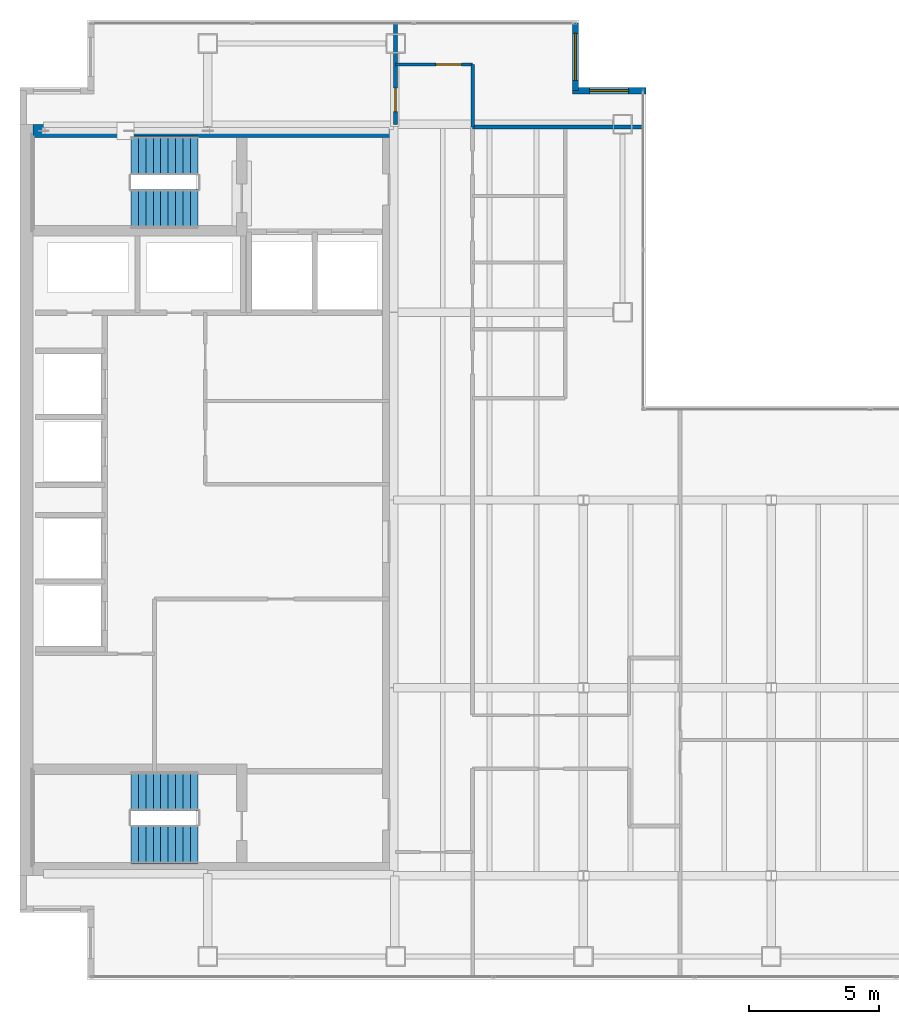
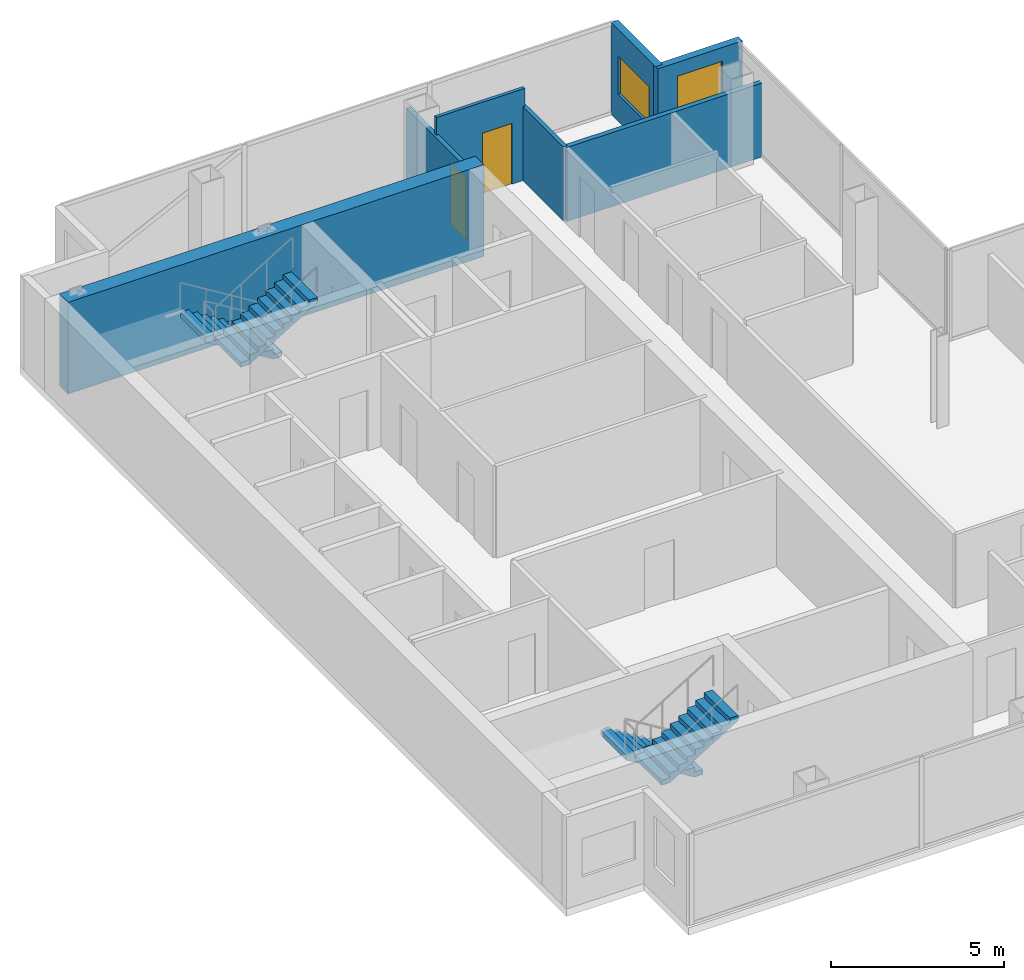
# One storey, part 22 of 23: 7 walls, 4 stair flights, 2 doors, 2 windows, 4 openings, 2 elements without a shape of their own.
"""IFC4 building model written with IfcOpenShell, lengths in metres."""

from ifc_helpers import new_model, si_unit, direction, frame, frame_2d, origin, place, context, subcontext, project, spatial, polyline, rectangle, outline, extrude, material, layer, layer_set, type_object, element, fill, aggregate, save


model = new_model("IFC4")

# Units and contexts
model_context = context("Model", 3, precision=1e-05, world=origin(), true_north=direction((0.0, 1.0)))
body_context = subcontext(model_context, "Body", "Model", "MODEL_VIEW")
ifc_project = project(units=[si_unit("LENGTHUNIT", "METRE"), si_unit("AREAUNIT", "SQUARE_METRE"), si_unit("VOLUMEUNIT", "CUBIC_METRE"), si_unit("PLANEANGLEUNIT", "RADIAN"), si_unit("MASSUNIT", "GRAM", prefix="KILO")], contexts=[model_context])

# Site, building, storey
site_placement = place(None, origin())
site = spatial("IfcSite", under=ifc_project, at=site_placement, CompositionType="ELEMENT")
building_placement = place(site_placement, origin())
building = spatial("IfcBuilding", under=site, at=building_placement, Name="Cobrela Telecom Tower", CompositionType="ELEMENT")
storey_placement = place(building_placement, frame((0.0, 0.0, 204.75)))
storey = spatial("IfcBuildingStorey", under=building, at=storey_placement, Name="L52", CompositionType="ELEMENT", Elevation=204.75)

# Wall
ifc_material_1 = material(Name="Concrete C40/50", Category="concrete")
ifc_layer_1 = layer(ifc_material_1, 0.5)
ifc_layer_set_1 = layer_set([ifc_layer_1], Name="Concrete C40/50")
wall_type_1 = type_object("IfcWallType", Name="WALL-CORE-C40-500", PredefinedType="SHEAR", material=ifc_layer_set_1)
wall_1_placement = place(storey_placement, frame((0.5, 35.75, 0.0), z_axis=(0.0, 0.0, 1.0), x_axis=(1.0, 0.0, 0.0)))
element("IfcWall", 1, at=wall_1_placement, inside=storey, type_object=wall_type_1, Name="L52 North Core Shear Wall", PredefinedType="SHEAR", context=body_context, shape_type="SweptSolid", body=[
    extrude(rectangle(XDim=13.89990234375, YDim=0.5, at=frame_2d((6.949951171875, 0.0))), origin(), (0.0, 0.0, 1.0), 3.239990234375),
])

# Wall, opening, window
ifc_layer_2 = layer(ifc_material_1, 0.239990234375)
ifc_layer_set_2 = layer_set([ifc_layer_2], Name="Concrete C40/50")
wall_type_2 = type_object("IfcWallType", Name="WALL-EXT-300", PredefinedType="STANDARD", material=ifc_layer_set_2)
wall_2_placement = place(storey_placement, frame((21.2900390625, 39.8798828125, 0.0), z_axis=(0.0, 0.0, 1.0), x_axis=(0.0, -1.0, 0.0)))
wall_2 = element("IfcWall", 2, at=wall_2_placement, inside=storey, type_object=wall_type_2, Name="L52 Insulated Facade Wall 08", PredefinedType="STANDARD", context=body_context, shape_type="SweptSolid", body=[
    extrude(rectangle(XDim=2.58984375, YDim=0.239990234375, at=frame_2d((1.294921875, 0.0))), origin(), (0.0, 0.0, 1.0), 3.239990234375),
])
opening_1_placement = place(wall_2_placement, frame((0.39501953125, 0.0, 0.949951171875)))
opening_1 = element("IfcOpeningElement", 3, at=opening_1_placement, cuts=wall_2, Name="Opening WN-27", PredefinedType="OPENING", context=body_context, shape_type="SweptSolid", body=[
    extrude(rectangle(XDim=1.800048828125, YDim=1.35009765625, at=frame_2d((0.89990234375, 0.675048828125))), frame((0.0, 0.1318359375, 0.0), z_axis=(0.0, -1.0, 0.0), x_axis=(1.0, 0.0, 0.0)), (0.0, 0.0, 1.0), 0.263916015625),
])
ifc_material_2 = material(Name="Solar-Control Bronze Low-E Glass", Category="glass")
window_type_1 = type_object("IfcWindowType", Name="WIN-CLER-1800", PartitioningType="SINGLE_PANEL", PredefinedType="WINDOW", material=ifc_material_2)
window_1_placement = place(opening_1_placement, origin())
window_1 = element("IfcWindow", 4, at=window_1_placement, inside=storey, type_object=window_type_1, Name="L52 Corner Notch Facade Window 253", OverallHeight=1.35009765625, OverallWidth=1.800048828125, PartitioningType="SINGLE_PANEL", PredefinedType="WINDOW", context=body_context, shape_type="SweptSolid", body=[
    extrude(rectangle(XDim=1.800048828125, YDim=1.35009765625, at=frame_2d((0.89990234375, 0.675048828125))), frame((0.0, 0.030029296875, 0.0), z_axis=(0.0, -1.0, 0.0), x_axis=(1.0, 0.0, 0.0)), (0.0, 0.0, 1.0), 0.06005859375),
])
fill(opening_1, window_1)

wall_3_placement = place(storey_placement, frame((21.169921875, 37.2900390625, 0.0), z_axis=(0.0, 0.0, 1.0), x_axis=(1.0, 0.0, 0.0)))
wall_3 = element("IfcWall", 5, at=wall_3_placement, inside=storey, type_object=wall_type_2, Name="L52 Insulated Facade Wall 09", PredefinedType="STANDARD", context=body_context, shape_type="SweptSolid", body=[
    extrude(rectangle(XDim=2.830078125, YDim=0.239990234375, at=frame_2d((1.4150390625, 0.0))), origin(), (0.0, 0.0, 1.0), 3.239990234375),
])
opening_2_placement = place(wall_3_placement, frame((0.6650390625, 0.0, 0.949951171875)))
opening_2 = element("IfcOpeningElement", 6, at=opening_2_placement, cuts=wall_3, Name="Opening WN-45", PredefinedType="OPENING", context=body_context, shape_type="SweptSolid", body=[
    extrude(rectangle(XDim=1.5, YDim=1.800048828125, at=frame_2d((0.75, 0.89990234375))), frame((0.0, 0.1318359375, 0.0), z_axis=(0.0, -1.0, 0.0), x_axis=(1.0, 0.0, 0.0)), (0.0, 0.0, 1.0), 0.263916015625),
])
window_type_2 = type_object("IfcWindowType", Name="WIN-MOD-1500", PartitioningType="SINGLE_PANEL", PredefinedType="WINDOW", material=ifc_material_2)
window_2_placement = place(opening_2_placement, origin())
window_2 = element("IfcWindow", 7, at=window_2_placement, inside=storey, type_object=window_type_2, Name="L52 Corner Notch Facade Window 254", OverallHeight=1.800048828125, OverallWidth=1.5, PartitioningType="SINGLE_PANEL", PredefinedType="WINDOW", context=body_context, shape_type="SweptSolid", body=[
    extrude(rectangle(XDim=1.5, YDim=1.800048828125, at=frame_2d((0.75, 0.89990234375))), frame((0.0, 0.030029296875, 0.0), z_axis=(0.0, -1.0, 0.0), x_axis=(1.0, 0.0, 0.0)), (0.0, 0.0, 1.0), 0.06005859375),
])
fill(opening_2, window_2)

# Wall, opening, door
ifc_material_3 = material(Name="Fire-Rated Gypsum Plasterboard")
ifc_layer_3 = layer(ifc_material_3, 0.110107421875)
ifc_layer_set_3 = layer_set([ifc_layer_3], Name="Fire-Rated Gypsum Plasterboard")
wall_type_3 = type_object("IfcWallType", Name="WALL-PART-110", PredefinedType="PARTITIONING", material=ifc_layer_set_3)
wall_4_placement = place(storey_placement, frame((14.39990234375, 38.300048828125, 0.0), z_axis=(0.0, 0.0, 1.0), x_axis=(1.0, 0.0, 0.0)))
wall_4 = element("IfcWall", 8, at=wall_4_placement, inside=storey, type_object=wall_type_3, Name="L52 Interior Partition W-CN-T", PredefinedType="PARTITIONING", context=body_context, shape_type="SweptSolid", body=[
    extrude(rectangle(XDim=2.9501953125, YDim=0.110107421875, at=frame_2d((1.47509765625, 0.0))), origin(), (0.0, 0.0, 1.0), 3.239990234375),
])
opening_3_placement = place(wall_4_placement, frame((1.5400390625, 0.0, 0.0)))
opening_3 = element("IfcOpeningElement", 9, at=opening_3_placement, cuts=wall_4, Name="Opening DR-17", PredefinedType="OPENING", context=body_context, shape_type="SweptSolid", body=[
    extrude(rectangle(XDim=0.97998046875, YDim=2.14990234375, at=frame_2d((0.489990234375, 1.074951171875))), frame((0.0, 0.06689453125, 0.0), z_axis=(0.0, -1.0, 0.0), x_axis=(1.0, 0.0, 0.0)), (0.0, 0.0, 1.0), 0.134033203125),
])
ifc_material_4 = material(Name="Solid Engineered Oak Timber", Category="wood")
door_type_1 = type_object("IfcDoorType", Name="DOOR-INT-980", OperationType="SINGLE_SWING_LEFT", PredefinedType="DOOR", material=ifc_material_4)
door_1_placement = place(opening_3_placement, origin())
door_1 = element("IfcDoor", 10, at=door_1_placement, inside=storey, type_object=door_type_1, Name="L52 Door DR-17", OperationType="SINGLE_SWING_RIGHT", OverallHeight=2.14990234375, OverallWidth=0.97998046875, PredefinedType="DOOR", context=body_context, shape_type="SweptSolid", body=[
    extrude(rectangle(XDim=0.97998046875, YDim=2.14990234375, at=frame_2d((0.489990234375, 1.074951171875))), frame((0.0, 0.02490234375, 0.0), z_axis=(0.0, -1.0, 0.0), x_axis=(1.0, 0.0, 0.0)), (0.0, 0.0, 1.0), 0.050048828125),
])
fill(opening_3, door_1)

# Wall
ifc_layer_4 = layer(ifc_material_3, 0.135009765625)
ifc_layer_set_4 = layer_set([ifc_layer_4], Name="Fire-Rated Gypsum Plasterboard")
wall_type_4 = type_object("IfcWallType", Name="WALL-PART-135", PredefinedType="PARTITIONING", material=ifc_layer_set_4)
wall_5_placement = place(storey_placement, frame((17.35009765625, 35.89990234375, 0.0), z_axis=(0.0, 0.0, 1.0), x_axis=(0.0, 1.0, 0.0)))
element("IfcWall", 11, at=wall_5_placement, inside=storey, type_object=wall_type_4, Name="L52 Interior Partition W-CN-E", PredefinedType="PARTITIONING", context=body_context, shape_type="SweptSolid", body=[
    extrude(rectangle(XDim=2.400146484375, YDim=0.135009765625, at=frame_2d((1.2001953125, 0.0))), origin(), (0.0, 0.0, 1.0), 2.613037109375),
])

# Wall, opening, door
ifc_layer_5 = layer(ifc_material_3, 0.14990234375)
ifc_layer_set_5 = layer_set([ifc_layer_5], Name="Fire-Rated Gypsum Plasterboard")
wall_type_5 = type_object("IfcWallType", Name="WALL-PART-150", PredefinedType="PARTITIONING", material=ifc_layer_set_5)
wall_6_placement = place(storey_placement, frame((14.39990234375, 36.0, 0.0), z_axis=(0.0, 0.0, 1.0), x_axis=(0.0, 1.0, 0.0)))
wall_6 = element("IfcWall", 12, at=wall_6_placement, inside=storey, type_object=wall_type_5, Name="L52 Interior Partition W-CN-W", PredefinedType="PARTITIONING", context=body_context, shape_type="SweptSolid", body=[
    extrude(rectangle(XDim=3.8798828125, YDim=0.14990234375, at=frame_2d((1.93994140625, 0.0))), origin(), (0.0, 0.0, 1.0), 2.613037109375),
])
opening_4_placement = place(wall_6_placement, frame((0.489990234375, 0.0, 0.0)))
opening_4 = element("IfcOpeningElement", 13, at=opening_4_placement, cuts=wall_6, Name="Opening DR-41", PredefinedType="OPENING", context=body_context, shape_type="SweptSolid", body=[
    extrude(rectangle(XDim=0.89990234375, YDim=2.14990234375, at=frame_2d((0.449951171875, 1.074951171875))), frame((0.0, 0.0869140625, 0.0), z_axis=(0.0, -1.0, 0.0), x_axis=(1.0, 0.0, 0.0)), (0.0, 0.0, 1.0), 0.173828125),
])
door_type_2 = type_object("IfcDoorType", Name="DOOR-INT-900", OperationType="SINGLE_SWING_LEFT", PredefinedType="DOOR", material=ifc_material_4)
door_2_placement = place(opening_4_placement, origin())
door_2 = element("IfcDoor", 14, at=door_2_placement, inside=storey, type_object=door_type_2, Name="L52 Door DR-41", OperationType="SINGLE_SWING_LEFT", OverallHeight=2.14990234375, OverallWidth=0.89990234375, PredefinedType="DOOR", context=body_context, shape_type="SweptSolid", body=[
    extrude(rectangle(XDim=0.89990234375, YDim=2.14990234375, at=frame_2d((0.449951171875, 1.074951171875))), frame((0.0, 0.02490234375, 0.0), z_axis=(0.0, -1.0, 0.0), x_axis=(1.0, 0.0, 0.0)), (0.0, 0.0, 1.0), 0.050048828125),
])
fill(opening_4, door_2)

# Wall
ifc_layer_6 = layer(ifc_material_3, 0.159912109375)
ifc_layer_set_6 = layer_set([ifc_layer_6], Name="Fire-Rated Gypsum Plasterboard")
wall_type_6 = type_object("IfcWallType", Name="WALL-PART-160", PredefinedType="PARTITIONING", material=ifc_layer_set_6)
wall_7_placement = place(storey_placement, frame((17.35009765625, 35.89990234375, 0.0), z_axis=(0.0, 0.0, 1.0), x_axis=(1.0, 0.0, 0.0)))
element("IfcWall", 15, at=wall_7_placement, inside=storey, type_object=wall_type_6, Name="L52 Interior Partition W-NW2-S", PredefinedType="PARTITIONING", context=body_context, shape_type="SweptSolid", body=[
    extrude(rectangle(XDim=6.52978515625, YDim=0.159912109375, at=frame_2d((3.264892578125, 0.0))), origin(), (0.0, 0.0, 1.0), 2.613037109375),
])

# Stair, stair flights
stair_type = type_object("IfcStairType", Name="STAIR-CORE", PredefinedType="HALF_TURN_STAIR", material=ifc_material_1)
stair_1_placement = place(storey_placement, origin())
stair_1 = element("IfcStair", 16, at=stair_1_placement, inside=storey, type_object=stair_type, Name="L52 Smokeproof Exit Stair ST1", PredefinedType="HALF_TURN_STAIR")
stair_flight_type = type_object("IfcStairFlightType", Name="FLIGHT-CORE", PredefinedType="STRAIGHT", material=ifc_material_1)
stair_flight_1_placement = place(storey_placement, frame((6.820068359375, 34.800048828125, 0.0), z_axis=(0.0, 0.0, 1.0), x_axis=(-1.0, 0.0, 0.0)))
stair_flight_1 = element("IfcStairFlight", 17, at=stair_flight_1_placement, type_object=stair_flight_type, Name="ST1 flight 1", NumberOfRisers=10, NumberOfTreads=9, PredefinedType="STRAIGHT", RiserHeight=0.175, TreadLength=0.285, context=body_context, shape_type="SweptSolid", body=[
    extrude(outline(polyline([(0.0, 0.0), (0.0, 0.175048828125), (0.284912109375, 0.175048828125), (0.284912109375, 0.35009765625), (0.570068359375, 0.35009765625), (0.570068359375, 0.52490234375), (0.85498046875, 0.52490234375), (0.85498046875, 0.699951171875), (1.139892578125, 0.699951171875), (1.139892578125, 0.875), (1.425048828125, 0.875), (1.425048828125, 1.050048828125), (1.7099609375, 1.050048828125), (1.7099609375, 1.22509765625), (1.9951171875, 1.22509765625), (1.9951171875, 1.39990234375), (2.280029296875, 1.39990234375), (2.280029296875, 1.574951171875), (2.56494140625, 1.574951171875), (2.56494140625, 1.75), (2.56494140625, 1.399169921875), (0.286376953125, 0.0), (0.0, 0.0)])), frame((0.0, 0.75, 0.0), z_axis=(0.0, -1.0, 0.0), x_axis=(1.0, 0.0, 0.0)), (0.0, 0.0, 1.0), 1.5),
])
stair_flight_2_placement = place(storey_placement, frame((4.2548828125, 32.75, 1.75), z_axis=(0.0, 0.0, 1.0), x_axis=(1.0, 0.0, 0.0)))
stair_flight_2 = element("IfcStairFlight", 18, at=stair_flight_2_placement, type_object=stair_flight_type, Name="ST1 flight 2", NumberOfRisers=10, NumberOfTreads=9, PredefinedType="STRAIGHT", RiserHeight=0.175, TreadLength=0.285, context=body_context, shape_type="SweptSolid", body=[
    extrude(outline(polyline([(0.0, 0.0), (0.0, 0.175048828125), (0.284912109375, 0.175048828125), (0.284912109375, 0.35009765625), (0.570068359375, 0.35009765625), (0.570068359375, 0.52490234375), (0.85498046875, 0.52490234375), (0.85498046875, 0.699951171875), (1.139892578125, 0.699951171875), (1.139892578125, 0.875), (1.425048828125, 0.875), (1.425048828125, 1.050048828125), (1.7099609375, 1.050048828125), (1.7099609375, 1.22509765625), (1.9951171875, 1.22509765625), (1.9951171875, 1.39990234375), (2.280029296875, 1.39990234375), (2.280029296875, 1.574951171875), (2.56494140625, 1.574951171875), (2.56494140625, 1.75), (2.56494140625, 1.399169921875), (0.286376953125, 0.0), (0.0, 0.0)])), frame((0.0, 0.75, 0.0), z_axis=(0.0, -1.0, 0.0), x_axis=(1.0, 0.0, 0.0)), (0.0, 0.0, 1.0), 1.5),
])
aggregate(stair_1, [stair_flight_1, stair_flight_2])

stair_2_placement = place(storey_placement, origin())
stair_2 = element("IfcStair", 19, at=stair_2_placement, inside=storey, type_object=stair_type, Name="L52 Smokeproof Exit Stair ST2", PredefinedType="HALF_TURN_STAIR")
stair_flight_3_placement = place(storey_placement, frame((6.820068359375, 10.449951171875, 0.0), z_axis=(0.0, 0.0, 1.0), x_axis=(-1.0, 0.0, 0.0)))
stair_flight_3 = element("IfcStairFlight", 20, at=stair_flight_3_placement, type_object=stair_flight_type, Name="ST2 flight 1", NumberOfRisers=10, NumberOfTreads=9, PredefinedType="STRAIGHT", RiserHeight=0.175, TreadLength=0.285, context=body_context, shape_type="SweptSolid", body=[
    extrude(outline(polyline([(0.0, 0.0), (0.0, 0.175048828125), (0.284912109375, 0.175048828125), (0.284912109375, 0.35009765625), (0.570068359375, 0.35009765625), (0.570068359375, 0.52490234375), (0.85498046875, 0.52490234375), (0.85498046875, 0.699951171875), (1.139892578125, 0.699951171875), (1.139892578125, 0.875), (1.425048828125, 0.875), (1.425048828125, 1.050048828125), (1.7099609375, 1.050048828125), (1.7099609375, 1.22509765625), (1.9951171875, 1.22509765625), (1.9951171875, 1.39990234375), (2.280029296875, 1.39990234375), (2.280029296875, 1.574951171875), (2.56494140625, 1.574951171875), (2.56494140625, 1.75), (2.56494140625, 1.399169921875), (0.286376953125, 0.0), (0.0, 0.0)])), frame((0.0, 0.75, 0.0), z_axis=(0.0, -1.0, 0.0), x_axis=(1.0, 0.0, 0.0)), (0.0, 0.0, 1.0), 1.5),
])
stair_flight_4_placement = place(storey_placement, frame((4.2548828125, 8.39990234375, 1.75), z_axis=(0.0, 0.0, 1.0), x_axis=(1.0, 0.0, 0.0)))
stair_flight_4 = element("IfcStairFlight", 21, at=stair_flight_4_placement, type_object=stair_flight_type, Name="ST2 flight 2", NumberOfRisers=10, NumberOfTreads=9, PredefinedType="STRAIGHT", RiserHeight=0.175, TreadLength=0.285, context=body_context, shape_type="SweptSolid", body=[
    extrude(outline(polyline([(0.0, 0.0), (0.0, 0.175048828125), (0.284912109375, 0.175048828125), (0.284912109375, 0.35009765625), (0.570068359375, 0.35009765625), (0.570068359375, 0.52490234375), (0.85498046875, 0.52490234375), (0.85498046875, 0.699951171875), (1.139892578125, 0.699951171875), (1.139892578125, 0.875), (1.425048828125, 0.875), (1.425048828125, 1.050048828125), (1.7099609375, 1.050048828125), (1.7099609375, 1.22509765625), (1.9951171875, 1.22509765625), (1.9951171875, 1.39990234375), (2.280029296875, 1.39990234375), (2.280029296875, 1.574951171875), (2.56494140625, 1.574951171875), (2.56494140625, 1.75), (2.56494140625, 1.399169921875), (0.286376953125, 0.0), (0.0, 0.0)])), frame((0.0, 0.75, 0.0), z_axis=(0.0, -1.0, 0.0), x_axis=(1.0, 0.0, 0.0)), (0.0, 0.0, 1.0), 1.5),
])
aggregate(stair_2, [stair_flight_3, stair_flight_4])

save(model, "model.ifc")
